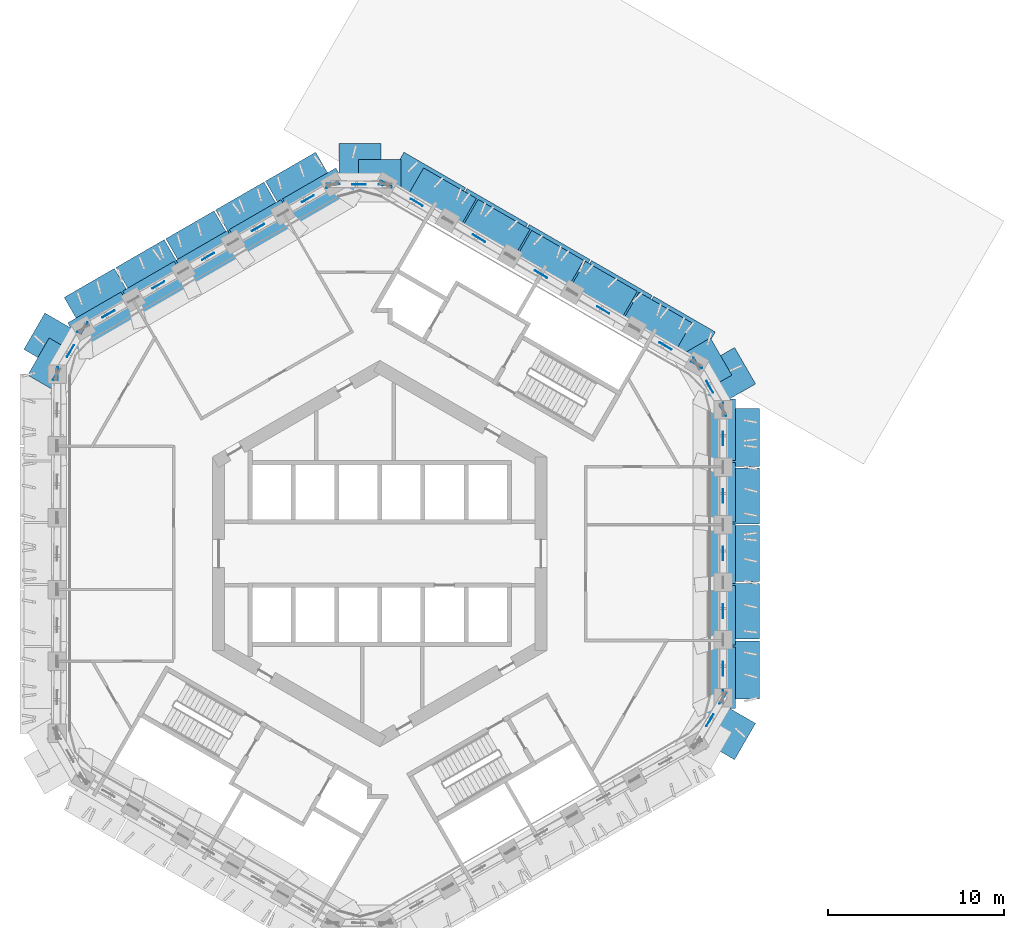
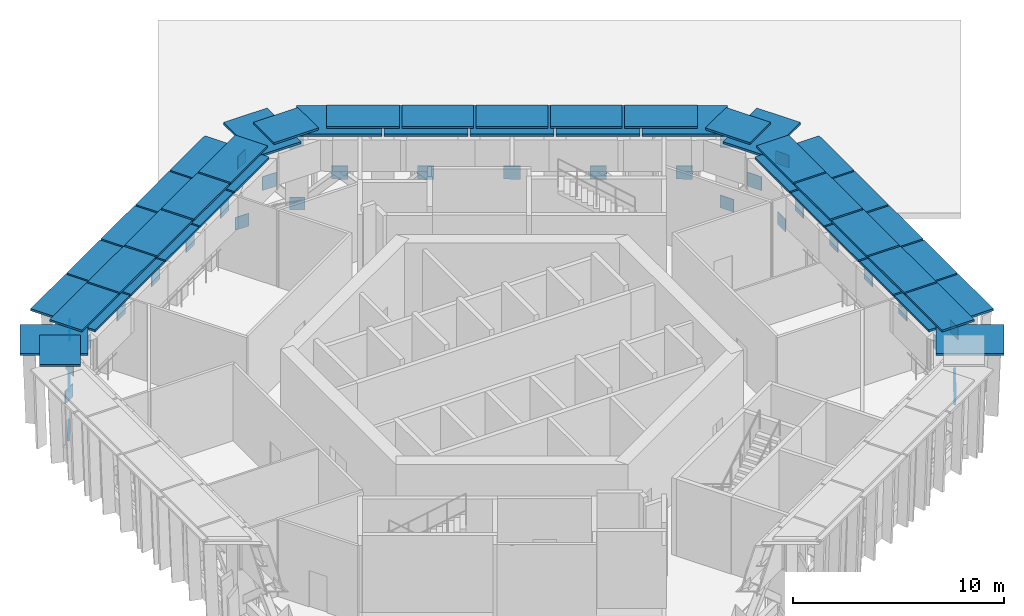
# One storey, part 10 of 18: 70 discrete accessories.
"""IFC4 building model written with IfcOpenShell, lengths in metres."""

from ifc_helpers import new_model, si_unit, direction, frame, origin, origin_2d, place, context, subcontext, project, spatial, rectangle, extrude, material, layer, layer_set, type_object, element, save


model = new_model("IFC4")

# Units and contexts
model_context = context("Model", 3, precision=1e-05, world=origin(), true_north=direction((0.0, 1.0)))
body_context = subcontext(model_context, "Body", "Model", "MODEL_VIEW")
ifc_project = project(units=[si_unit("LENGTHUNIT", "METRE"), si_unit("AREAUNIT", "SQUARE_METRE"), si_unit("VOLUMEUNIT", "CUBIC_METRE"), si_unit("PLANEANGLEUNIT", "RADIAN"), si_unit("MASSUNIT", "GRAM", prefix="KILO")], contexts=[model_context])

# Site, building, storey
site_placement = place(None, origin())
site = spatial("IfcSite", under=ifc_project, at=site_placement, CompositionType="ELEMENT")
building_placement = place(site_placement, origin())
building = spatial("IfcBuilding", under=site, at=building_placement, Name="Ayvan Gate Tower", CompositionType="ELEMENT")
storey_placement = place(building_placement, frame((0.0, 0.0, 147.89990234375)))
storey = spatial("IfcBuildingStorey", under=building, at=storey_placement, Name="L39", CompositionType="ELEMENT", Elevation=147.89990234375)

# Discrete accessories
ifc_material_1 = material(Name="Stainless steel 316", Category="steel")
ifc_layer_1 = layer(ifc_material_1, 0.1201171875)
ifc_layer_set_1 = layer_set([ifc_layer_1], Name="Stainless steel 316")
discrete_accessory_type_1 = type_object("IfcDiscreteAccessoryType", Name="Fin carrier bracket", PredefinedType="BRACKET", material=ifc_layer_set_1)
discrete_accessory_1_placement = place(storey_placement, frame((-18.534423828125, 10.70068359375, 4.679931640625), z_axis=(0.0, 0.0, 1.0), x_axis=(-0.5, -0.866025403784, 0.0)))
element("IfcDiscreteAccessory", 1, at=discrete_accessory_1_placement, inside=storey, type_object=discrete_accessory_type_1, Name="Fin carrier 128", PredefinedType="BRACKET", context=body_context, shape_type="SweptSolid", body=[
    extrude(rectangle(XDim=2.4345703125, YDim=1.946044921875, at=origin_2d()), origin(), (0.0, 0.0, 1.0), 0.1201171875),
])
discrete_accessory_2_placement = place(storey_placement, frame((-15.758544921875, 13.210693359375, 4.679931640625), z_axis=(0.0, 0.0, 1.0), x_axis=(-0.866025403784, -0.5, 0.0)))
element("IfcDiscreteAccessory", 2, at=discrete_accessory_2_placement, inside=storey, type_object=discrete_accessory_type_1, Name="Fin carrier 221", PredefinedType="BRACKET", context=body_context, shape_type="SweptSolid", body=[
    extrude(rectangle(XDim=3.493408203125, YDim=1.767333984375, at=origin_2d()), origin(), (0.0, 0.0, 1.0), 0.1201171875),
])
discrete_accessory_3_placement = place(storey_placement, frame((-12.685546875, 14.985107421875, 4.679931640625), z_axis=(0.0, 0.0, 1.0), x_axis=(-0.866025403784, -0.5, 0.0)))
element("IfcDiscreteAccessory", 3, at=discrete_accessory_3_placement, inside=storey, type_object=discrete_accessory_type_1, Name="Fin carrier 284", PredefinedType="BRACKET", context=body_context, shape_type="SweptSolid", body=[
    extrude(rectangle(XDim=3.384033203125, YDim=1.767333984375, at=origin_2d()), origin(), (0.0, 0.0, 1.0), 0.1201171875),
])
discrete_accessory_4_placement = place(storey_placement, frame((-9.659912109375, 16.73193359375, 4.679931640625), z_axis=(0.0, 0.0, 1.0), x_axis=(-0.866025403784, -0.5, 0.0)))
element("IfcDiscreteAccessory", 4, at=discrete_accessory_4_placement, inside=storey, type_object=discrete_accessory_type_1, Name="Fin carrier 350", PredefinedType="BRACKET", context=body_context, shape_type="SweptSolid", body=[
    extrude(rectangle(XDim=3.383056640625, YDim=1.767333984375, at=origin_2d()), origin(), (0.0, 0.0, 1.0), 0.1201171875),
])
discrete_accessory_5_placement = place(storey_placement, frame((-6.634521484375, 18.478515625, 4.679931640625), z_axis=(0.0, 0.0, 1.0), x_axis=(-0.866025403784, -0.5, 0.0)))
element("IfcDiscreteAccessory", 5, at=discrete_accessory_5_placement, inside=storey, type_object=discrete_accessory_type_1, Name="Fin carrier 414", PredefinedType="BRACKET", context=body_context, shape_type="SweptSolid", body=[
    extrude(rectangle(XDim=3.384033203125, YDim=1.767333984375, at=origin_2d()), origin(), (0.0, 0.0, 1.0), 0.1201171875),
])
discrete_accessory_6_placement = place(storey_placement, frame((-3.5615234375, 20.2529296875, 4.679931640625), z_axis=(0.0, 0.0, 1.0), x_axis=(-0.866025403784, -0.5, 0.0)))
element("IfcDiscreteAccessory", 6, at=discrete_accessory_6_placement, inside=storey, type_object=discrete_accessory_type_1, Name="Fin carrier 475", PredefinedType="BRACKET", context=body_context, shape_type="SweptSolid", body=[
    extrude(rectangle(XDim=3.492919921875, YDim=1.767333984375, at=origin_2d()), origin(), (0.0, 0.0, 1.0), 0.1201171875),
])
discrete_accessory_7_placement = place(storey_placement, frame((0.0, 21.401611328125, 4.679931640625), z_axis=(0.0, 0.0, 1.0), x_axis=(-1.0, 0.0, 0.0)))
element("IfcDiscreteAccessory", 7, at=discrete_accessory_7_placement, inside=storey, type_object=discrete_accessory_type_1, Name="Fin carrier 535", PredefinedType="BRACKET", context=body_context, shape_type="SweptSolid", body=[
    extrude(rectangle(XDim=2.4345703125, YDim=1.946044921875, at=origin_2d()), origin(), (0.0, 0.0, 1.0), 0.1201171875),
])
discrete_accessory_8_placement = place(storey_placement, frame((3.548095703125, 20.260498046875, 4.679931640625), z_axis=(0.0, 0.0, 1.0), x_axis=(-0.866025403784, 0.5, 0.0)))
element("IfcDiscreteAccessory", 8, at=discrete_accessory_8_placement, inside=storey, type_object=discrete_accessory_type_1, Name="Fin carrier 595", PredefinedType="BRACKET", context=body_context, shape_type="SweptSolid", body=[
    extrude(rectangle(XDim=3.46240234375, YDim=1.767333984375, at=origin_2d()), origin(), (0.0, 0.0, 1.0), 0.1201171875),
])
for number, where, z_axis, x_axis, name in (
    (9, (6.61669921875, 18.489013671875, 4.679931640625), (0.0, 0.0, 1.0), (-0.866025403784, 0.5, 0.0), "Fin carrier 644"),
    (10, (9.659912109375, 16.73193359375, 4.679931640625), (0.0, 0.0, 1.0), (-0.866025403784, 0.5, 0.0), "Fin carrier 698"),
    (11, (12.703125, 14.974853515625, 4.679931640625), (0.0, 0.0, 1.0), (-0.866025403784, 0.5, 0.0), "Fin carrier 755"),
):
    element("IfcDiscreteAccessory", number, at=place(storey_placement, frame(where, z_axis=z_axis, x_axis=x_axis)), inside=storey, type_object=discrete_accessory_type_1, Name=name, PredefinedType="BRACKET", context=body_context, shape_type="SweptSolid", body=[
        extrude(rectangle(XDim=3.404052734375, YDim=1.767333984375, at=origin_2d()), origin(), (0.0, 0.0, 1.0), 0.1201171875),
    ])
discrete_accessory_9_placement = place(storey_placement, frame((15.771728515625, 13.203125, 4.679931640625), z_axis=(0.0, 0.0, 1.0), x_axis=(-0.866025403784, 0.5, 0.0)))
element("IfcDiscreteAccessory", 12, at=discrete_accessory_9_placement, inside=storey, type_object=discrete_accessory_type_1, Name="Fin carrier 814", PredefinedType="BRACKET", context=body_context, shape_type="SweptSolid", body=[
    extrude(rectangle(XDim=3.462890625, YDim=1.767333984375, at=origin_2d()), origin(), (0.0, 0.0, 1.0), 0.1201171875),
])
discrete_accessory_10_placement = place(storey_placement, frame((18.534423828125, 10.70068359375, 4.679931640625), z_axis=(0.0, 0.0, 1.0), x_axis=(-0.5, 0.866025403784, 0.0)))
element("IfcDiscreteAccessory", 13, at=discrete_accessory_10_placement, inside=storey, type_object=discrete_accessory_type_1, Name="Fin carrier 904", PredefinedType="BRACKET", context=body_context, shape_type="SweptSolid", body=[
    extrude(rectangle(XDim=2.4345703125, YDim=1.946044921875, at=origin_2d()), origin(), (0.0, 0.0, 1.0), 0.1201171875),
])
discrete_accessory_11_placement = place(storey_placement, frame((19.3203125, -7.042236328125, 4.679931640625), z_axis=(0.0, 0.0, 1.0), x_axis=(0.0, 1.0, 0.0)))
element("IfcDiscreteAccessory", 14, at=discrete_accessory_11_placement, inside=storey, type_object=discrete_accessory_type_1, Name="Fin carrier 914", PredefinedType="BRACKET", context=body_context, shape_type="SweptSolid", body=[
    extrude(rectangle(XDim=3.492919921875, YDim=1.767333984375, at=origin_2d()), origin(), (0.0, 0.0, 1.0), 0.1201171875),
])
discrete_accessory_12_placement = place(storey_placement, frame((19.3203125, -3.49365234375, 4.679931640625), z_axis=(0.0, 0.0, 1.0), x_axis=(0.0, 1.0, 0.0)))
element("IfcDiscreteAccessory", 15, at=discrete_accessory_12_placement, inside=storey, type_object=discrete_accessory_type_1, Name="Fin carrier 921", PredefinedType="BRACKET", context=body_context, shape_type="SweptSolid", body=[
    extrude(rectangle(XDim=3.384033203125, YDim=1.767333984375, at=origin_2d()), origin(), (0.0, 0.0, 1.0), 0.1201171875),
])
discrete_accessory_13_placement = place(storey_placement, frame((19.3203125, -0.000244140625, 4.679931640625), z_axis=(0.0, 0.0, 1.0), x_axis=(0.0, 1.0, 0.0)))
element("IfcDiscreteAccessory", 16, at=discrete_accessory_13_placement, inside=storey, type_object=discrete_accessory_type_1, Name="Fin carrier 928", PredefinedType="BRACKET", context=body_context, shape_type="SweptSolid", body=[
    extrude(rectangle(XDim=3.383056640625, YDim=1.767333984375, at=origin_2d()), origin(), (0.0, 0.0, 1.0), 0.1201171875),
])
discrete_accessory_14_placement = place(storey_placement, frame((19.3203125, 3.493408203125, 4.679931640625), z_axis=(0.0, 0.0, 1.0), x_axis=(0.0, 1.0, 0.0)))
element("IfcDiscreteAccessory", 17, at=discrete_accessory_14_placement, inside=storey, type_object=discrete_accessory_type_1, Name="Fin carrier 939", PredefinedType="BRACKET", context=body_context, shape_type="SweptSolid", body=[
    extrude(rectangle(XDim=3.384033203125, YDim=1.767333984375, at=origin_2d()), origin(), (0.0, 0.0, 1.0), 0.1201171875),
])
discrete_accessory_15_placement = place(storey_placement, frame((19.3203125, 7.0419921875, 4.679931640625), z_axis=(0.0, 0.0, 1.0), x_axis=(0.0, 1.0, 0.0)))
element("IfcDiscreteAccessory", 18, at=discrete_accessory_15_placement, inside=storey, type_object=discrete_accessory_type_1, Name="Fin carrier 947", PredefinedType="BRACKET", context=body_context, shape_type="SweptSolid", body=[
    extrude(rectangle(XDim=3.493408203125, YDim=1.767333984375, at=origin_2d()), origin(), (0.0, 0.0, 1.0), 0.1201171875),
])
discrete_accessory_16_placement = place(storey_placement, frame((-18.216796875, 11.823486328125, 4.5), z_axis=(0.0, 0.0, 1.0), x_axis=(-0.5, -0.866025403784, 0.0)))
element("IfcDiscreteAccessory", 19, at=discrete_accessory_16_placement, inside=storey, type_object=discrete_accessory_type_1, Name="Fin carrier 1042", PredefinedType="BRACKET", context=body_context, shape_type="SweptSolid", body=[
    extrude(rectangle(XDim=2.386474609375, YDim=3.21044921875, at=origin_2d()), origin(), (0.0, 0.0, 1.0), 0.1201171875),
])
discrete_accessory_17_placement = place(storey_placement, frame((-15.610595703125, 13.84423828125, 4.5), z_axis=(0.0, 0.0, 1.0), x_axis=(-0.866025403784, -0.5, 0.0)))
element("IfcDiscreteAccessory", 20, at=discrete_accessory_17_placement, inside=storey, type_object=discrete_accessory_type_1, Name="Fin carrier 1053", PredefinedType="BRACKET", context=body_context, shape_type="SweptSolid", body=[
    extrude(rectangle(XDim=3.29443359375, YDim=3.516357421875, at=origin_2d()), origin(), (0.0, 0.0, 1.0), 0.1201171875),
])
discrete_accessory_18_placement = place(storey_placement, frame((-12.7265625, 15.50927734375, 4.5), z_axis=(0.0, 0.0, 1.0), x_axis=(-0.866025403784, -0.5, 0.0)))
element("IfcDiscreteAccessory", 21, at=discrete_accessory_18_placement, inside=storey, type_object=discrete_accessory_type_1, Name="Fin carrier 1059", PredefinedType="BRACKET", context=body_context, shape_type="SweptSolid", body=[
    extrude(rectangle(XDim=3.166015625, YDim=3.516357421875, at=origin_2d()), origin(), (0.0, 0.0, 1.0), 0.1201171875),
])
for number, where, z_axis, x_axis, name in (
    (22, (-9.897705078125, 17.142578125, 4.5), (0.0, 0.0, 1.0), (-0.866025403784, -0.5, 0.0), "Fin carrier 1065"),
    (23, (-7.068359375, 18.776123046875, 4.5), (0.0, 0.0, 1.0), (-0.866025403784, -0.5, 0.0), "Fin carrier 1073"),
):
    element("IfcDiscreteAccessory", number, at=place(storey_placement, frame(where, z_axis=z_axis, x_axis=x_axis)), inside=storey, type_object=discrete_accessory_type_1, Name=name, PredefinedType="BRACKET", context=body_context, shape_type="SweptSolid", body=[
        extrude(rectangle(XDim=3.1669921875, YDim=3.516357421875, at=origin_2d()), origin(), (0.0, 0.0, 1.0), 0.1201171875),
    ])
discrete_accessory_19_placement = place(storey_placement, frame((-4.18408203125, 20.44140625, 4.5), z_axis=(0.0, 0.0, 1.0), x_axis=(-0.866025403784, -0.5, 0.0)))
element("IfcDiscreteAccessory", 24, at=discrete_accessory_19_placement, inside=storey, type_object=discrete_accessory_type_1, Name="Fin carrier 1076", PredefinedType="BRACKET", context=body_context, shape_type="SweptSolid", body=[
    extrude(rectangle(XDim=3.2939453125, YDim=3.516357421875, at=origin_2d()), origin(), (0.0, 0.0, 1.0), 0.1201171875),
])
discrete_accessory_20_placement = place(storey_placement, frame((-1.131103515625, 21.68798828125, 4.5), z_axis=(0.0, 0.0, 1.0), x_axis=(-1.0, 0.0, 0.0)))
element("IfcDiscreteAccessory", 25, at=discrete_accessory_20_placement, inside=storey, type_object=discrete_accessory_type_1, Name="Fin carrier 1084", PredefinedType="BRACKET", context=body_context, shape_type="SweptSolid", body=[
    extrude(rectangle(XDim=2.386474609375, YDim=3.21044921875, at=origin_2d()), origin(), (0.0, 0.0, 1.0), 0.1201171875),
])
discrete_accessory_21_placement = place(storey_placement, frame((2.526611328125, 20.7451171875, 4.5), z_axis=(0.0, 0.0, 1.0), x_axis=(-0.866025403784, 0.5, 0.0)))
element("IfcDiscreteAccessory", 26, at=discrete_accessory_21_placement, inside=storey, type_object=discrete_accessory_type_1, Name="Fin carrier 1089", PredefinedType="BRACKET", context=body_context, shape_type="SweptSolid", body=[
    extrude(rectangle(XDim=4.03759765625, YDim=2.38525390625, at=origin_2d()), origin(), (0.0, 0.0, 1.0), 0.1201171875),
])
for number, where, z_axis, x_axis, name in (
    (27, (6.08349609375, 18.691650390625, 4.5), (0.0, 0.0, 1.0), (-0.866025403784, 0.5, 0.0), "Fin carrier 1095"),
    (28, (9.614501953125, 16.653076171875, 4.5), (0.0, 0.0, 1.0), (-0.866025403784, 0.5, 0.0), "Fin carrier 1101"),
):
    element("IfcDiscreteAccessory", number, at=place(storey_placement, frame(where, z_axis=z_axis, x_axis=x_axis)), inside=storey, type_object=discrete_accessory_type_1, Name=name, PredefinedType="BRACKET", context=body_context, shape_type="SweptSolid", body=[
        extrude(rectangle(XDim=3.97705078125, YDim=2.38525390625, at=origin_2d()), origin(), (0.0, 0.0, 1.0), 0.1201171875),
    ])
discrete_accessory_22_placement = place(storey_placement, frame((13.1455078125, 14.6142578125, 4.5), z_axis=(0.0, 0.0, 1.0), x_axis=(-0.866025403784, 0.5, 0.0)))
element("IfcDiscreteAccessory", 29, at=discrete_accessory_22_placement, inside=storey, type_object=discrete_accessory_type_1, Name="Fin carrier 1107", PredefinedType="BRACKET", context=body_context, shape_type="SweptSolid", body=[
    extrude(rectangle(XDim=3.97802734375, YDim=2.38525390625, at=origin_2d()), origin(), (0.0, 0.0, 1.0), 0.1201171875),
])
discrete_accessory_23_placement = place(storey_placement, frame((16.702880859375, 12.560546875, 4.5), z_axis=(0.0, 0.0, 1.0), x_axis=(-0.866025403784, 0.5, 0.0)))
element("IfcDiscreteAccessory", 30, at=discrete_accessory_23_placement, inside=storey, type_object=discrete_accessory_type_1, Name="Fin carrier 1113", PredefinedType="BRACKET", context=body_context, shape_type="SweptSolid", body=[
    extrude(rectangle(XDim=4.037109375, YDim=2.38525390625, at=origin_2d()), origin(), (0.0, 0.0, 1.0), 0.1201171875),
])
for number, where, z_axis, x_axis, name in (
    (31, (19.347900390625, -9.864501953125, 4.5), (0.0, 0.0, 1.0), (0.5, 0.866025403784, 0.0), "Fin carrier 1123"),
    (32, (19.347900390625, 9.864501953125, 4.5), (0.0, 0.0, 1.0), (-0.5, 0.866025403784, 0.0), "Fin carrier 1124"),
):
    element("IfcDiscreteAccessory", number, at=place(storey_placement, frame(where, z_axis=z_axis, x_axis=x_axis)), inside=storey, type_object=discrete_accessory_type_1, Name=name, PredefinedType="BRACKET", context=body_context, shape_type="SweptSolid", body=[
        extrude(rectangle(XDim=2.386474609375, YDim=3.21044921875, at=origin_2d()), origin(), (0.0, 0.0, 1.0), 0.1201171875),
    ])
discrete_accessory_24_placement = place(storey_placement, frame((19.794677734375, -6.59716796875, 4.5), z_axis=(0.0, 0.0, 1.0), x_axis=(0.0, 1.0, 0.0)))
element("IfcDiscreteAccessory", 33, at=discrete_accessory_24_placement, inside=storey, type_object=discrete_accessory_type_1, Name="Fin carrier 1125", PredefinedType="BRACKET", context=body_context, shape_type="SweptSolid", body=[
    extrude(rectangle(XDim=3.2939453125, YDim=3.516357421875, at=origin_2d()), origin(), (0.0, 0.0, 1.0), 0.1201171875),
])
for number, where, z_axis, x_axis, name in (
    (34, (19.794677734375, -3.2666015625, 4.5), (0.0, 0.0, 1.0), (0.0, 1.0, 0.0), "Fin carrier 1126"),
    (35, (19.794677734375, 0.000244140625, 4.5), (0.0, 0.0, 1.0), (0.0, 1.0, 0.0), "Fin carrier 1127"),
):
    element("IfcDiscreteAccessory", number, at=place(storey_placement, frame(where, z_axis=z_axis, x_axis=x_axis)), inside=storey, type_object=discrete_accessory_type_1, Name=name, PredefinedType="BRACKET", context=body_context, shape_type="SweptSolid", body=[
        extrude(rectangle(XDim=3.1669921875, YDim=3.516357421875, at=origin_2d()), origin(), (0.0, 0.0, 1.0), 0.1201171875),
    ])
discrete_accessory_25_placement = place(storey_placement, frame((19.794677734375, 3.266845703125, 4.5), z_axis=(0.0, 0.0, 1.0), x_axis=(0.0, 1.0, 0.0)))
element("IfcDiscreteAccessory", 36, at=discrete_accessory_25_placement, inside=storey, type_object=discrete_accessory_type_1, Name="Fin carrier 1128", PredefinedType="BRACKET", context=body_context, shape_type="SweptSolid", body=[
    extrude(rectangle(XDim=3.166015625, YDim=3.516357421875, at=origin_2d()), origin(), (0.0, 0.0, 1.0), 0.1201171875),
])
discrete_accessory_26_placement = place(storey_placement, frame((19.794677734375, 6.596923828125, 4.5), z_axis=(0.0, 0.0, 1.0), x_axis=(0.0, 1.0, 0.0)))
element("IfcDiscreteAccessory", 37, at=discrete_accessory_26_placement, inside=storey, type_object=discrete_accessory_type_1, Name="Fin carrier 1129", PredefinedType="BRACKET", context=body_context, shape_type="SweptSolid", body=[
    extrude(rectangle(XDim=3.29443359375, YDim=3.516357421875, at=origin_2d()), origin(), (0.0, 0.0, 1.0), 0.1201171875),
])
ifc_material_2 = material(Name="Steel S460ML", Category="steel")
ifc_layer_2 = layer(ifc_material_2, 0.034912109375)
ifc_layer_set_2 = layer_set([ifc_layer_2], Name="Steel S460ML")
discrete_accessory_type_2 = type_object("IfcDiscreteAccessoryType", Name="Gusset plate 35 mm", PredefinedType="BRACKET", material=ifc_layer_set_2)
discrete_accessory_27_placement = place(storey_placement, frame((19.485595703125, -6.533447265625, 1.83740234375), z_axis=(0.0, 0.0, 1.0), x_axis=(0.0, 1.0, 0.0)))
element("IfcDiscreteAccessory", 38, at=discrete_accessory_27_placement, inside=storey, type_object=discrete_accessory_type_2, Name="Gusset plate BT2-DB-1", PredefinedType="BRACKET", context=body_context, shape_type="SweptSolid", body=[
    extrude(rectangle(XDim=0.773681640625, YDim=0.034912109375, at=origin_2d()), origin(), (0.0, 0.0, 1.0), 0.7919921875),
])
discrete_accessory_28_placement = place(storey_placement, frame((5.626708984375, 17.900390625, 1.833984375), z_axis=(0.0, 0.0, 1.0), x_axis=(-0.858079246166, 0.513517290165, 0.0)))
element("IfcDiscreteAccessory", 39, at=discrete_accessory_28_placement, inside=storey, type_object=discrete_accessory_type_2, Name="Gusset plate BT2-DB-10", PredefinedType="BRACKET", context=body_context, shape_type="SweptSolid", body=[
    extrude(rectangle(XDim=0.79052734375, YDim=0.034912109375, at=origin_2d()), origin(), (0.0, 0.0, 1.0), 0.775390625),
])
discrete_accessory_29_placement = place(storey_placement, frame((0.36181640625, 20.976806640625, 0.0322265625), z_axis=(0.0, 0.0, 1.0), x_axis=(-0.85804966827, 0.51356671113, 0.0)))
element("IfcDiscreteAccessory", 40, at=discrete_accessory_29_placement, inside=storey, type_object=discrete_accessory_type_2, Name="Gusset plate BT2-DB-11", PredefinedType="BRACKET", context=body_context, shape_type="SweptSolid", body=[
    extrude(rectangle(XDim=0.736083984375, YDim=0.034912109375, at=origin_2d()), origin(), (0.0, 0.0, 1.0), 0.736083984375),
])
discrete_accessory_30_placement = place(storey_placement, frame((2.095703125, 19.939208984375, 1.833984375), z_axis=(0.0, 0.0, 1.0), x_axis=(-0.85804966827, 0.51356671113, 0.0)))
element("IfcDiscreteAccessory", 41, at=discrete_accessory_30_placement, inside=storey, type_object=discrete_accessory_type_2, Name="Gusset plate BT2-DB-11", PredefinedType="BRACKET", context=body_context, shape_type="SweptSolid", body=[
    extrude(rectangle(XDim=0.790283203125, YDim=0.034912109375, at=origin_2d()), origin(), (0.0, 0.0, 1.0), 0.775634765625),
])
discrete_accessory_31_placement = place(storey_placement, frame((-2.63818359375, 20.976806640625, 0.0322265625), z_axis=(0.0, 0.0, 1.0), x_axis=(-0.999921547831, 0.01252590047, 0.0)))
element("IfcDiscreteAccessory", 42, at=discrete_accessory_31_placement, inside=storey, type_object=discrete_accessory_type_2, Name="Gusset plate BT2-DB-12", PredefinedType="BRACKET", context=body_context, shape_type="SweptSolid", body=[
    extrude(rectangle(XDim=0.736083984375, YDim=0.034912109375, at=origin_2d()), origin(), (0.0, 0.0, 1.0), 0.736083984375),
])
discrete_accessory_32_placement = place(storey_placement, frame((-1.169921875, 20.95849609375, 1.82421875), z_axis=(0.0, 0.0, 1.0), x_axis=(-0.999921547831, 0.01252590047, 0.0)))
element("IfcDiscreteAccessory", 43, at=discrete_accessory_32_placement, inside=storey, type_object=discrete_accessory_type_2, Name="Gusset plate BT2-DB-12", PredefinedType="BRACKET", context=body_context, shape_type="SweptSolid", body=[
    extrude(rectangle(XDim=0.770263671875, YDim=0.034912109375, at=origin_2d()), origin(), (0.0, 0.0, 1.0), 0.802001953125),
])
discrete_accessory_33_placement = place(storey_placement, frame((-4.084716796875, 20.1416015625, 1.83740234375), z_axis=(0.0, 0.0, 1.0), x_axis=(0.866025403784, 0.5, 0.0)))
element("IfcDiscreteAccessory", 44, at=discrete_accessory_33_placement, inside=storey, type_object=discrete_accessory_type_2, Name="Gusset plate BT2-DB-13", PredefinedType="BRACKET", context=body_context, shape_type="SweptSolid", body=[
    extrude(rectangle(XDim=0.773681640625, YDim=0.034912109375, at=origin_2d()), origin(), (0.0, 0.0, 1.0), 0.7919921875),
])
discrete_accessory_34_placement = place(storey_placement, frame((-6.913818359375, 18.50830078125, 1.837646484375), z_axis=(0.0, 0.0, 1.0), x_axis=(0.866025403784, 0.5, 0.0)))
element("IfcDiscreteAccessory", 45, at=discrete_accessory_34_placement, inside=storey, type_object=discrete_accessory_type_2, Name="Gusset plate BT2-DB-14", PredefinedType="BRACKET", context=body_context, shape_type="SweptSolid", body=[
    extrude(rectangle(XDim=0.7744140625, YDim=0.034912109375, at=origin_2d()), origin(), (0.0, 0.0, 1.0), 0.79150390625),
])
discrete_accessory_35_placement = place(storey_placement, frame((-9.742919921875, 16.875, 1.837890625), z_axis=(0.0, 0.0, 1.0), x_axis=(0.866025403784, 0.5, 0.0)))
element("IfcDiscreteAccessory", 46, at=discrete_accessory_35_placement, inside=storey, type_object=discrete_accessory_type_2, Name="Gusset plate BT2-DB-15", PredefinedType="BRACKET", context=body_context, shape_type="SweptSolid", body=[
    extrude(rectangle(XDim=0.77490234375, YDim=0.034912109375, at=origin_2d()), origin(), (0.0, 0.0, 1.0), 0.791015625),
])
discrete_accessory_36_placement = place(storey_placement, frame((-12.572021484375, 15.24169921875, 1.83837890625), z_axis=(0.0, 0.0, 1.0), x_axis=(0.866025403784, 0.5, 0.0)))
element("IfcDiscreteAccessory", 47, at=discrete_accessory_36_placement, inside=storey, type_object=discrete_accessory_type_2, Name="Gusset plate BT2-DB-16", PredefinedType="BRACKET", context=body_context, shape_type="SweptSolid", body=[
    extrude(rectangle(XDim=0.775634765625, YDim=0.034912109375, at=origin_2d()), origin(), (0.0, 0.0, 1.0), 0.790283203125),
])
discrete_accessory_37_placement = place(storey_placement, frame((-16.847412109375, 12.773193359375, 0.0322265625), z_axis=(0.0, 0.0, 1.0), x_axis=(0.866025403784, 0.5, 0.0)))
element("IfcDiscreteAccessory", 48, at=discrete_accessory_37_placement, inside=storey, type_object=discrete_accessory_type_2, Name="Gusset plate BT2-DB-17", PredefinedType="BRACKET", context=body_context, shape_type="SweptSolid", body=[
    extrude(rectangle(XDim=0.736083984375, YDim=0.034912109375, at=origin_2d()), origin(), (0.0, 0.0, 1.0), 0.736083984375),
])
discrete_accessory_38_placement = place(storey_placement, frame((-15.40087890625, 13.6083984375, 1.83837890625), z_axis=(0.0, 0.0, 1.0), x_axis=(0.866025403784, 0.5, 0.0)))
element("IfcDiscreteAccessory", 49, at=discrete_accessory_38_placement, inside=storey, type_object=discrete_accessory_type_2, Name="Gusset plate BT2-DB-17", PredefinedType="BRACKET", context=body_context, shape_type="SweptSolid", body=[
    extrude(rectangle(XDim=0.7763671875, YDim=0.034912109375, at=origin_2d()), origin(), (0.0, 0.0, 1.0), 0.789794921875),
])
discrete_accessory_39_placement = place(storey_placement, frame((-18.347412109375, 10.175048828125, 0.0322265625), z_axis=(0.0, 0.0, 1.0), x_axis=(0.510361318764, 0.859960071346, 0.0)))
element("IfcDiscreteAccessory", 50, at=discrete_accessory_39_placement, inside=storey, type_object=discrete_accessory_type_2, Name="Gusset plate BT2-DB-18", PredefinedType="BRACKET", context=body_context, shape_type="SweptSolid", body=[
    extrude(rectangle(XDim=0.736083984375, YDim=0.034912109375, at=origin_2d()), origin(), (0.0, 0.0, 1.0), 0.736083984375),
])
discrete_accessory_40_placement = place(storey_placement, frame((-17.565673828125, 11.492431640625, 1.82568359375), z_axis=(0.0, 0.0, 1.0), x_axis=(0.510361318764, 0.859960071346, 0.0)))
element("IfcDiscreteAccessory", 51, at=discrete_accessory_40_placement, inside=storey, type_object=discrete_accessory_type_2, Name="Gusset plate BT2-DB-18", PredefinedType="BRACKET", context=body_context, shape_type="SweptSolid", body=[
    extrude(rectangle(XDim=0.773681640625, YDim=0.034912109375, at=origin_2d()), origin(), (0.0, 0.0, 1.0), 0.799072265625),
])
discrete_accessory_41_placement = place(storey_placement, frame((19.485595703125, -3.2666015625, 1.837646484375), z_axis=(0.0, 0.0, 1.0), x_axis=(0.0, 1.0, 0.0)))
element("IfcDiscreteAccessory", 52, at=discrete_accessory_41_placement, inside=storey, type_object=discrete_accessory_type_2, Name="Gusset plate BT2-DB-2", PredefinedType="BRACKET", context=body_context, shape_type="SweptSolid", body=[
    extrude(rectangle(XDim=0.7744140625, YDim=0.034912109375, at=origin_2d()), origin(), (0.0, 0.0, 1.0), 0.79150390625),
])
discrete_accessory_42_placement = place(storey_placement, frame((19.485595703125, 0.0, 1.837890625), z_axis=(0.0, 0.0, 1.0), x_axis=(0.0, 1.0, 0.0)))
element("IfcDiscreteAccessory", 53, at=discrete_accessory_42_placement, inside=storey, type_object=discrete_accessory_type_2, Name="Gusset plate BT2-DB-3", PredefinedType="BRACKET", context=body_context, shape_type="SweptSolid", body=[
    extrude(rectangle(XDim=0.77490234375, YDim=0.034912109375, at=origin_2d()), origin(), (0.0, 0.0, 1.0), 0.791015625),
])
discrete_accessory_43_placement = place(storey_placement, frame((19.485595703125, -8.203857421875, 0.0322265625), z_axis=(0.0, 0.0, 1.0), x_axis=(0.510808521928, 0.859694511978, 0.0)))
element("IfcDiscreteAccessory", 54, at=discrete_accessory_43_placement, inside=storey, type_object=discrete_accessory_type_2, Name="Gusset plate BT2-DB-36", PredefinedType="BRACKET", context=body_context, shape_type="SweptSolid", body=[
    extrude(rectangle(XDim=0.736083984375, YDim=0.034912109375, at=origin_2d()), origin(), (0.0, 0.0, 1.0), 0.736083984375),
])
discrete_accessory_44_placement = place(storey_placement, frame((18.735595703125, -9.466064453125, 1.82421875), z_axis=(0.0, 0.0, 1.0), x_axis=(0.510808521928, 0.859694511978, 0.0)))
element("IfcDiscreteAccessory", 55, at=discrete_accessory_44_placement, inside=storey, type_object=discrete_accessory_type_2, Name="Gusset plate BT2-DB-36", PredefinedType="BRACKET", context=body_context, shape_type="SweptSolid", body=[
    extrude(rectangle(XDim=0.770263671875, YDim=0.034912109375, at=origin_2d()), origin(), (0.0, 0.0, 1.0), 0.802001953125),
])
discrete_accessory_45_placement = place(storey_placement, frame((19.485595703125, 3.2666015625, 1.83837890625), z_axis=(0.0, 0.0, 1.0), x_axis=(0.0, 1.0, 0.0)))
element("IfcDiscreteAccessory", 56, at=discrete_accessory_45_placement, inside=storey, type_object=discrete_accessory_type_2, Name="Gusset plate BT2-DB-4", PredefinedType="BRACKET", context=body_context, shape_type="SweptSolid", body=[
    extrude(rectangle(XDim=0.775634765625, YDim=0.034912109375, at=origin_2d()), origin(), (0.0, 0.0, 1.0), 0.790283203125),
])
discrete_accessory_46_placement = place(storey_placement, frame((19.485595703125, 8.203857421875, 0.0322265625), z_axis=(0.0, 0.0, 1.0), x_axis=(0.0, 1.0, 0.0)))
element("IfcDiscreteAccessory", 57, at=discrete_accessory_46_placement, inside=storey, type_object=discrete_accessory_type_2, Name="Gusset plate BT2-DB-5", PredefinedType="BRACKET", context=body_context, shape_type="SweptSolid", body=[
    extrude(rectangle(XDim=0.736083984375, YDim=0.034912109375, at=origin_2d()), origin(), (0.0, 0.0, 1.0), 0.736083984375),
])
discrete_accessory_47_placement = place(storey_placement, frame((19.485595703125, 6.533447265625, 1.83837890625), z_axis=(0.0, 0.0, 1.0), x_axis=(0.0, 1.0, 0.0)))
element("IfcDiscreteAccessory", 58, at=discrete_accessory_47_placement, inside=storey, type_object=discrete_accessory_type_2, Name="Gusset plate BT2-DB-5", PredefinedType="BRACKET", context=body_context, shape_type="SweptSolid", body=[
    extrude(rectangle(XDim=0.7763671875, YDim=0.034912109375, at=origin_2d()), origin(), (0.0, 0.0, 1.0), 0.789794921875),
])
discrete_accessory_48_placement = place(storey_placement, frame((17.985595703125, 10.802001953125, 0.0322265625), z_axis=(0.0, 0.0, 1.0), x_axis=(-0.489566608644, 0.871965902832, 0.0)))
element("IfcDiscreteAccessory", 59, at=discrete_accessory_48_placement, inside=storey, type_object=discrete_accessory_type_2, Name="Gusset plate BT2-DB-6", PredefinedType="BRACKET", context=body_context, shape_type="SweptSolid", body=[
    extrude(rectangle(XDim=0.736083984375, YDim=0.034912109375, at=origin_2d()), origin(), (0.0, 0.0, 1.0), 0.736083984375),
])
discrete_accessory_49_placement = place(storey_placement, frame((18.735595703125, 9.466064453125, 1.82568359375), z_axis=(0.0, 0.0, 1.0), x_axis=(-0.489566608644, 0.871965902832, 0.0)))
element("IfcDiscreteAccessory", 60, at=discrete_accessory_49_placement, inside=storey, type_object=discrete_accessory_type_2, Name="Gusset plate BT2-DB-6", PredefinedType="BRACKET", context=body_context, shape_type="SweptSolid", body=[
    extrude(rectangle(XDim=0.773681640625, YDim=0.034912109375, at=origin_2d()), origin(), (0.0, 0.0, 1.0), 0.799072265625),
])
discrete_accessory_50_placement = place(storey_placement, frame((16.219970703125, 11.784423828125, 1.83447265625), z_axis=(0.0, 0.0, 1.0), x_axis=(-0.858165274769, 0.5133735104, 0.0)))
element("IfcDiscreteAccessory", 61, at=discrete_accessory_50_placement, inside=storey, type_object=discrete_accessory_type_2, Name="Gusset plate BT2-DB-7", PredefinedType="BRACKET", context=body_context, shape_type="SweptSolid", body=[
    extrude(rectangle(XDim=0.791259765625, YDim=0.034912109375, at=origin_2d()), origin(), (0.0, 0.0, 1.0), 0.7744140625),
])
discrete_accessory_51_placement = place(storey_placement, frame((12.68896484375, 13.8232421875, 1.83447265625), z_axis=(0.0, 0.0, 1.0), x_axis=(-0.858136601245, 0.51342143859, 0.0)))
element("IfcDiscreteAccessory", 62, at=discrete_accessory_51_placement, inside=storey, type_object=discrete_accessory_type_2, Name="Gusset plate BT2-DB-8", PredefinedType="BRACKET", context=body_context, shape_type="SweptSolid", body=[
    extrude(rectangle(XDim=0.791015625, YDim=0.034912109375, at=origin_2d()), origin(), (0.0, 0.0, 1.0), 0.774658203125),
])
discrete_accessory_52_placement = place(storey_placement, frame((9.157958984375, 15.86181640625, 1.834228515625), z_axis=(0.0, 0.0, 1.0), x_axis=(-0.858107925044, 0.513469365179, 0.0)))
element("IfcDiscreteAccessory", 63, at=discrete_accessory_52_placement, inside=storey, type_object=discrete_accessory_type_2, Name="Gusset plate BT2-DB-9", PredefinedType="BRACKET", context=body_context, shape_type="SweptSolid", body=[
    extrude(rectangle(XDim=0.790771484375, YDim=0.034912109375, at=origin_2d()), origin(), (0.0, 0.0, 1.0), 0.77490234375),
])
for number, where, z_axis, x_axis, name in (
    (64, (19.485595703125, -8.13037109375, 3.68212890625), (0.0, 0.0, 1.0), (0.0, 1.0, 0.0), "Gusset plate BT2-DC-1"),
    (65, (0.298095703125, 20.940185546875, 3.68212890625), (0.0, 0.0, 1.0), (-0.999921547831, 0.01252590047, 0.0), "Gusset plate BT2-DC-12"),
    (66, (-2.701904296875, 20.940185546875, 3.68212890625), (0.0, 0.0, 1.0), (0.866025403784, 0.5, 0.0), "Gusset plate BT2-DC-13"),
    (67, (-16.78369140625, 12.809814453125, 3.68212890625), (0.0, 0.0, 1.0), (0.510361318764, 0.859960071346, 0.0), "Gusset plate BT2-DC-18"),
    (68, (-18.28369140625, 10.2119140625, 3.68212890625), (0.0, 0.0, 1.0), (0.015511864252, 0.999879683796, 0.0), "Gusset plate BT2-DC-19"),
    (69, (19.485595703125, 8.13037109375, 3.68212890625), (0.0, 0.0, 1.0), (-0.489566608644, 0.871965902832, 0.0), "Gusset plate BT2-DC-6"),
    (70, (17.985595703125, 10.728271484375, 3.68212890625), (0.0, 0.0, 1.0), (-0.858165274769, 0.5133735104, 0.0), "Gusset plate BT2-DC-7"),
):
    element("IfcDiscreteAccessory", number, at=place(storey_placement, frame(where, z_axis=z_axis, x_axis=x_axis)), inside=storey, type_object=discrete_accessory_type_2, Name=name, PredefinedType="BRACKET", context=body_context, shape_type="SweptSolid", body=[
        extrude(rectangle(XDim=0.736083984375, YDim=0.034912109375, at=origin_2d()), origin(), (0.0, 0.0, 1.0), 0.736083984375),
    ])

save(model, "model.ifc")
